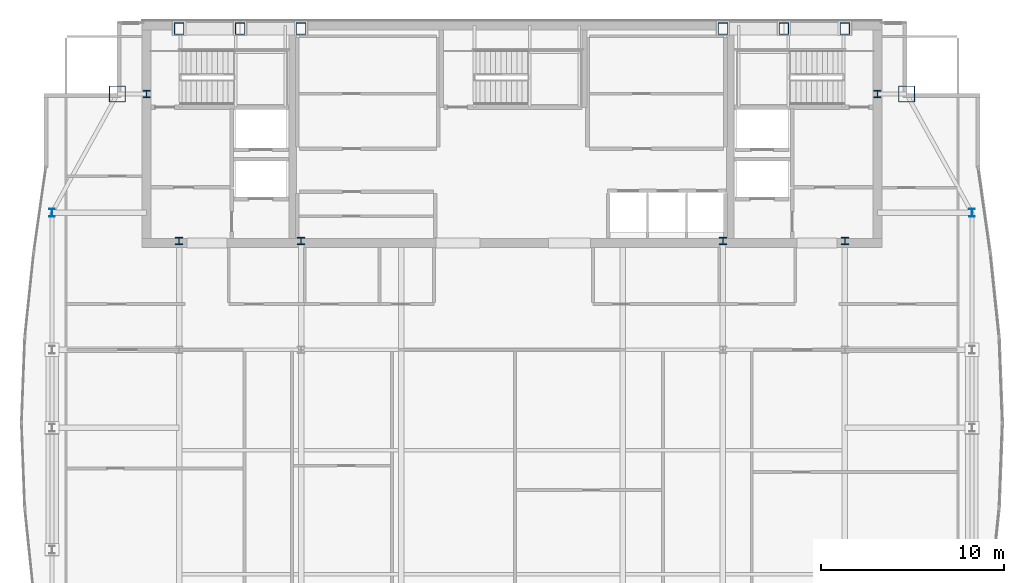
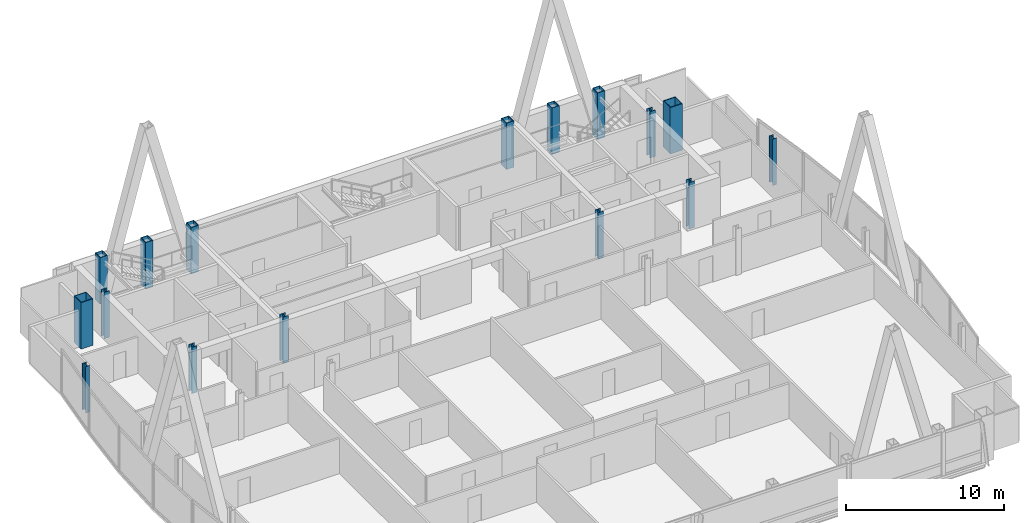
# One storey, part 3 of 29: 16 columns.
"""IFC4 building model written with IfcOpenShell, lengths in metres."""

from ifc_helpers import new_model, si_unit, direction, frame, origin, origin_2d, place, context, subcontext, project, spatial, hollow_rectangle, i_section, extrude, material, material_profile, profile_set, type_object, element, save


model = new_model("IFC4")

# Units and contexts
model_context = context("Model", 3, precision=1e-05, world=origin(), true_north=direction((0.0, 1.0)))
body_context = subcontext(model_context, "Body", "Model", "MODEL_VIEW")
ifc_project = project(units=[si_unit("LENGTHUNIT", "METRE"), si_unit("AREAUNIT", "SQUARE_METRE"), si_unit("VOLUMEUNIT", "CUBIC_METRE"), si_unit("PLANEANGLEUNIT", "RADIAN"), si_unit("MASSUNIT", "GRAM", prefix="KILO")], contexts=[model_context])

# Site, building, storey
site_placement = place(None, origin())
site = spatial("IfcSite", under=ifc_project, at=site_placement, CompositionType="ELEMENT")
building_placement = place(site_placement, origin())
building = spatial("IfcBuilding", under=site, at=building_placement, Name="Khoronbel Lancet Exchange", CompositionType="ELEMENT")
storey_placement = place(building_placement, frame((0.0, 0.0, 302.199951171875)))
storey = spatial("IfcBuildingStorey", under=building, at=storey_placement, Name="L78", CompositionType="ELEMENT", Elevation=302.199951171875)

# Columns
ifc_material_1 = material(Name="Steel S460", Category="steel")
ifc_material_profile_1 = material_profile(ifc_material_1, hollow_rectangle(XDim=0.550048828125, YDim=0.64990234375, WallThickness=0.0400390625, at=origin_2d()), Name="BOX 650x550x40")
ifc_profile_set_1 = profile_set([ifc_material_profile_1], Name="Steel S460")
column_type_1 = type_object("IfcColumnType", Name="COL-EC4", PredefinedType="COLUMN", material=ifc_profile_set_1)
for number, where, z_axis, x_axis, name in (
    (1, (18.22509765625, 53.280029296875, 0.0), (0.0, 0.0, 1.0), (1.0, 0.0, 0.0), "Structural column NC-W1 L78"),
    (2, (21.5625, 53.280029296875, 0.0), (0.0, 0.0, 1.0), (1.0, 0.0, 0.0), "Structural column NC-WM L78"),
    (3, (24.89990234375, 53.280029296875, 0.0), (0.0, 0.0, 1.0), (1.0, 0.0, 0.0), "Structural column NC-W2 L78"),
    (4, (48.0, 53.280029296875, 0.0), (0.0, 0.0, 1.0), (1.0, 0.0, 0.0), "Structural column NC-E1 L78"),
    (5, (51.33740234375, 53.280029296875, 0.0), (0.0, 0.0, 1.0), (1.0, 0.0, 0.0), "Structural column NC-EM L78"),
    (6, (54.675048828125, 53.280029296875, 0.0), (0.0, 0.0, 1.0), (1.0, 0.0, 0.0), "Structural column NC-E2 L78"),
):
    element("IfcColumn", number, at=place(storey_placement, frame(where, z_axis=z_axis, x_axis=x_axis)), inside=storey, type_object=column_type_1, Name=name, PredefinedType="COLUMN", context=body_context, shape_type="SweptSolid", body=[
        extrude(hollow_rectangle(XDim=0.550048828125, YDim=0.64990234375, WallThickness=0.0400390625, at=origin_2d()), origin(), (0.0, 0.0, 1.0), 3.60009765625),
    ])
ifc_material_2 = material(Name="Steel S355", Category="steel")
ifc_material_profile_2 = material_profile(ifc_material_2, i_section(OverallWidth=0.39892578125, OverallDepth=0.39306640625, WebThickness=0.022705078125, FlangeThickness=0.03662109375, at=origin_2d()), Name="HD 400x287")
ifc_profile_set_2 = profile_set([ifc_material_profile_2], Name="Steel S355")
column_type_2 = type_object("IfcColumnType", Name="COL-IC4", PredefinedType="COLUMN", material=ifc_profile_set_2)
for number, where, z_axis, x_axis, name in (
    (7, (16.449951171875, 49.699951171875, 0.0), (0.0, 0.0, 1.0), (1.0, 0.0, 0.0), "Core-flank plumb transfer column CFW L78"),
    (8, (56.449951171875, 49.699951171875, 0.0), (0.0, 0.0, 1.0), (1.0, 0.0, 0.0), "Core-flank plumb transfer column CFE L78"),
    (9, (18.22509765625, 41.64990234375, 0.0), (0.0, 0.0, 1.0), (1.0, 0.0, 0.0), "Core-embedded steel column CTC1 L78"),
    (10, (24.89990234375, 41.64990234375, 0.0), (0.0, 0.0, 1.0), (1.0, 0.0, 0.0), "Core-embedded steel column CTC2 L78"),
    (11, (48.0, 41.64990234375, 0.0), (0.0, 0.0, 1.0), (1.0, 0.0, 0.0), "Core-embedded steel column CTC3 L78"),
    (12, (54.675048828125, 41.64990234375, 0.0), (0.0, 0.0, 1.0), (1.0, 0.0, 0.0), "Core-embedded steel column CTC4 L78"),
):
    element("IfcColumn", number, at=place(storey_placement, frame(where, z_axis=z_axis, x_axis=x_axis)), inside=storey, type_object=column_type_2, Name=name, PredefinedType="COLUMN", context=body_context, shape_type="SweptSolid", body=[
        extrude(i_section(OverallWidth=0.39892578125, OverallDepth=0.39306640625, WebThickness=0.022705078125, FlangeThickness=0.03662109375, at=origin_2d()), origin(), (0.0, 0.0, 1.0), 3.60009765625),
    ])
ifc_material_profile_3 = material_profile(ifc_material_2, i_section(OverallWidth=0.300048828125, OverallDepth=0.449951171875, WebThickness=0.013916015625, FlangeThickness=0.02587890625, at=origin_2d()), Name="HEB 450")
ifc_profile_set_3 = profile_set([ifc_material_profile_3], Name="Steel S355")
column_type_3 = type_object("IfcColumnType", Name="COL-LC2", PredefinedType="COLUMN", material=ifc_profile_set_3)
for number, where, z_axis, x_axis, name in (
    (13, (11.27001953125, 43.199951171875, 0.0), (0.0, 0.0, 1.0), (1.0, 0.0, 0.0), "Structural column WC-4 L78"),
    (14, (61.6298828125, 43.199951171875, 0.0), (0.0, 0.0, 1.0), (1.0, 0.0, 0.0), "Structural column EC-4 L78"),
):
    element("IfcColumn", number, at=place(storey_placement, frame(where, z_axis=z_axis, x_axis=x_axis)), inside=storey, type_object=column_type_3, Name=name, PredefinedType="COLUMN", context=body_context, shape_type="SweptSolid", body=[
        extrude(i_section(OverallWidth=0.300048828125, OverallDepth=0.449951171875, WebThickness=0.013916015625, FlangeThickness=0.02587890625, at=origin_2d()), origin(), (0.0, 0.0, 1.0), 3.60009765625),
    ])
ifc_material_profile_4 = material_profile(ifc_material_1, hollow_rectangle(XDim=0.89990234375, YDim=0.89990234375, WallThickness=0.050048828125, at=origin_2d()), Name="BOX 900x900x50")
ifc_profile_set_4 = profile_set([ifc_material_profile_4], Name="Steel S460")
column_type_4 = type_object("IfcColumnType", Name="COL-MC7", PredefinedType="COLUMN", material=ifc_profile_set_4)
for number, where, z_axis, x_axis, name in (
    (15, (58.050048828125, 49.699951171875, 0.0), (0.0, 0.0, 1.0), (1.0, 0.0, 0.0), "Structural column MC-NE L78"),
    (16, (14.85009765625, 49.699951171875, 0.0), (0.0, 0.0, 1.0), (1.0, 0.0, 0.0), "Structural column MC-NW L78"),
):
    element("IfcColumn", number, at=place(storey_placement, frame(where, z_axis=z_axis, x_axis=x_axis)), inside=storey, type_object=column_type_4, Name=name, PredefinedType="COLUMN", context=body_context, shape_type="SweptSolid", body=[
        extrude(hollow_rectangle(XDim=0.89990234375, YDim=0.89990234375, WallThickness=0.050048828125, at=origin_2d()), origin(), (0.0, 0.0, 1.0), 3.60009765625),
    ])

save(model, "model.ifc")
